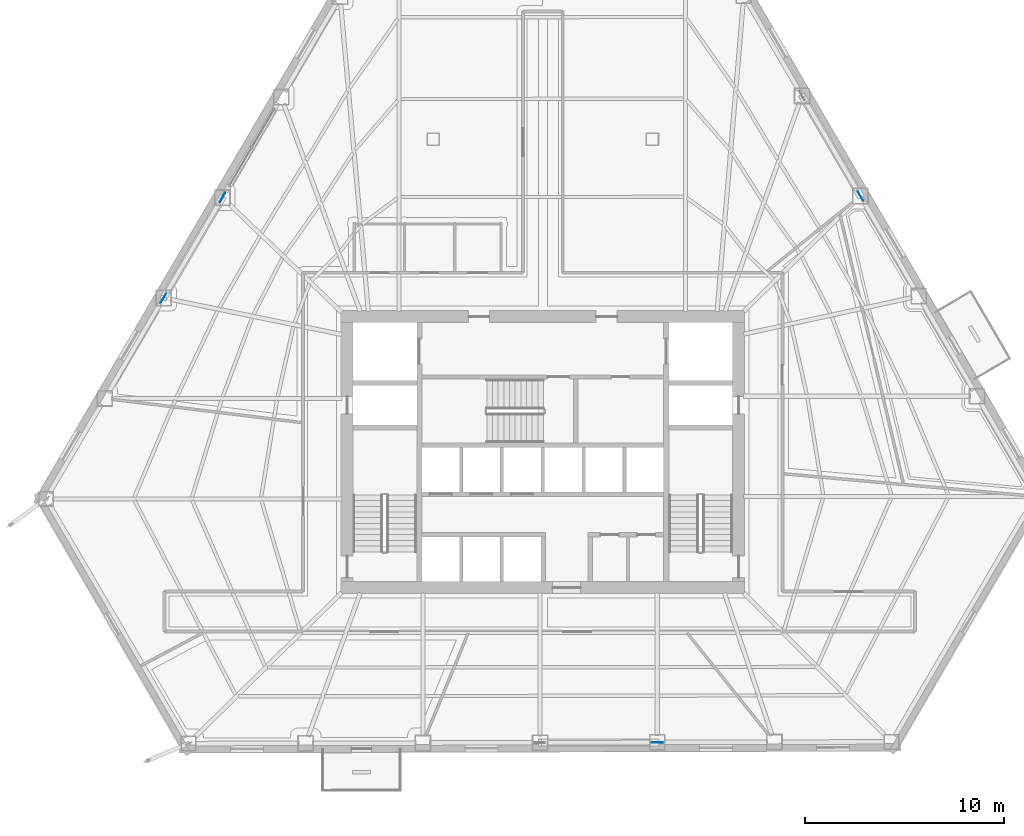
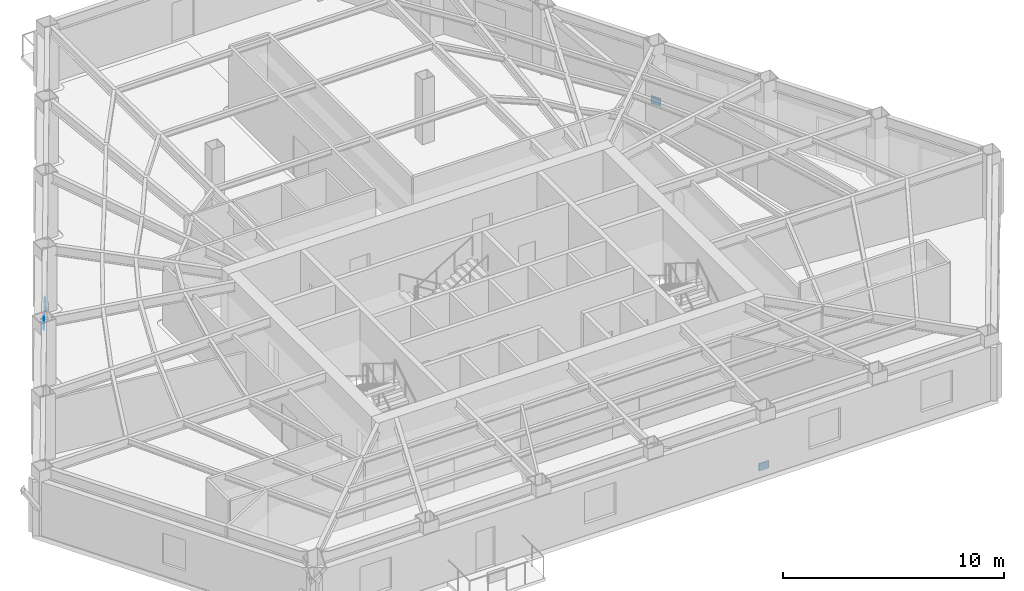
# One storey, part 7 of 15: 4 plates.
"""IFC4 building model written with IfcOpenShell, lengths in metres."""

from ifc_helpers import new_model, si_unit, direction, frame, origin, origin_2d, place, context, subcontext, project, spatial, rectangle, extrude, material, layer, layer_set, type_object, element, save


model = new_model("IFC4")

# Units and contexts
model_context = context("Model", 3, precision=1e-05, world=origin(), true_north=direction((0.0, 1.0)))
body_context = subcontext(model_context, "Body", "Model", "MODEL_VIEW")
ifc_project = project(units=[si_unit("LENGTHUNIT", "METRE"), si_unit("AREAUNIT", "SQUARE_METRE"), si_unit("VOLUMEUNIT", "CUBIC_METRE"), si_unit("PLANEANGLEUNIT", "RADIAN"), si_unit("MASSUNIT", "GRAM", prefix="KILO")], contexts=[model_context])

# Site, building, storey
site_placement = place(None, origin())
site = spatial("IfcSite", under=ifc_project, at=site_placement, CompositionType="ELEMENT")
building_placement = place(site_placement, origin())
building = spatial("IfcBuilding", under=site, at=building_placement, Name="Kavelnor Concourse Tower", CompositionType="ELEMENT")
storey_placement = place(building_placement, frame((0.0, 0.0, 63.75)))
storey = spatial("IfcBuildingStorey", under=building, at=storey_placement, Name="L16", CompositionType="ELEMENT", Elevation=63.75)

# Plates
ifc_material = material(Name="Steel Grade 350", Category="steel")
ifc_layer = layer(ifc_material, 0.031982421875, Name="Steel Grade 350")
ifc_layer_set = layer_set([ifc_layer], Name="Steel Grade 350")
plate_type = type_object("IfcPlateType", Name="PL-GUSSET-TUBE-Z1", PredefinedType="USERDEFINED", material=ifc_layer_set)
for number, where, z_axis, x_axis, name in (
    (1, (21.9345703125, 28.87939453125, 0.010009765625), (0.0, 0.0, 1.0), (-0.505431492718, -0.862866737202, 0.0), "L16 Tube Brace Gusset GP3 F0-B3 End Gusset A"),
    (2, (18.971435546875, 23.821044921875, 3.073974609375), (0.0, 0.0, 1.0), (-0.505431492718, -0.862866737202, 0.0), "L16 Tube Brace Gusset GP3 F0-B3 End Gusset B"),
    (3, (43.75341796875, 1.535400390625, 0.010009765625), (0.0, 0.0, 1.0), (-0.999997014751, -0.002443458521, 0.0), "L16 Tube Brace Gusset GP3 F1-B3 End Gusset A"),
    (4, (53.940673828125, 28.937744140625, 0.010009765625), (0.0, 0.0, 1.0), (-0.503321604797, 0.864099162217, 0.0), "L16 Tube Brace Gusset GP3 F2-B3 End Gusset A"),
):
    element("IfcPlate", number, at=place(storey_placement, frame(where, z_axis=z_axis, x_axis=x_axis)), inside=storey, type_object=plate_type, Name=name, ObjectType="GUSSET_PLATE", PredefinedType="USERDEFINED", context=body_context, shape_type="SweptSolid", body=[
        extrude(rectangle(XDim=0.52001953125, YDim=0.031982421875, at=origin_2d()), origin(), (0.0, 0.0, 1.0), 0.419921875),
    ])

save(model, "model.ifc")
